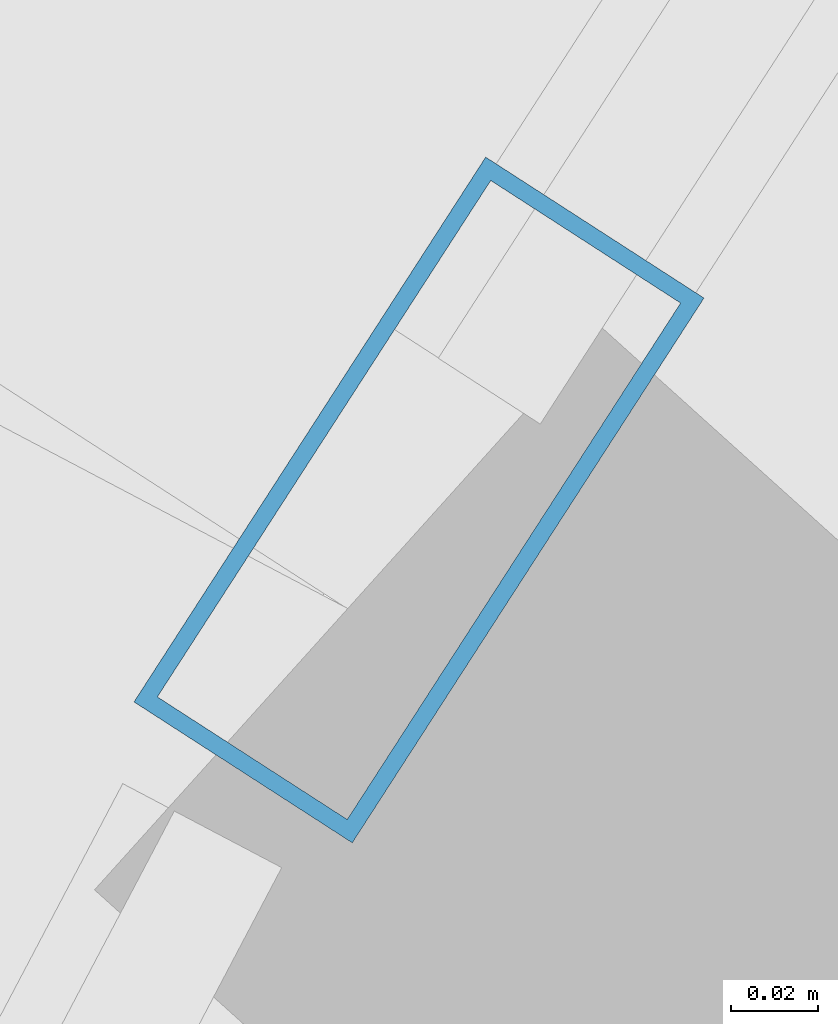
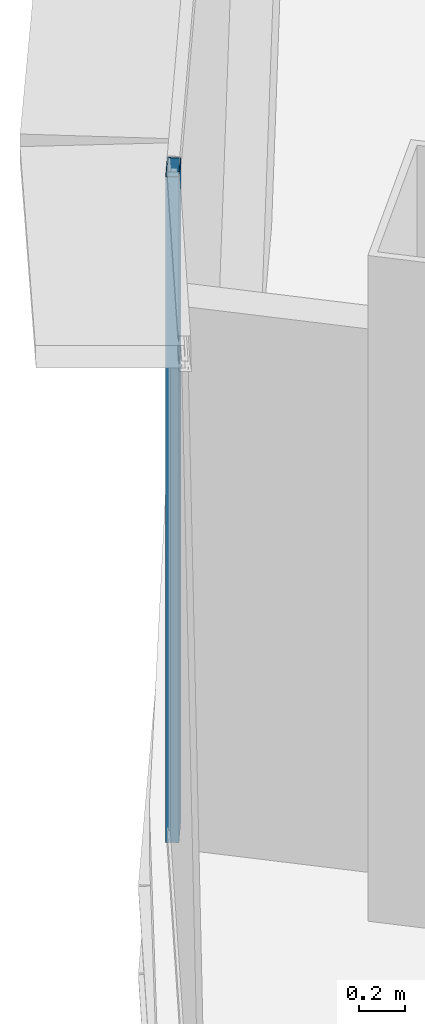
# One storey, part 16 of 36: 1 member, 1 element without a shape of its own.
"""IFC4 building model written with IfcOpenShell, lengths in metres."""

from ifc_helpers import new_model, si_unit, direction, frame, origin, origin_2d, place, context, subcontext, project, spatial, hollow_rectangle, extrude, source, transform, mapped, material, layer, layer_set, material_profile, profile_set, type_object, element, aggregate, save


model = new_model("IFC4")

# Units and contexts
model_context = context("Model", 3, precision=1e-05, world=origin(), true_north=direction((0.0, 1.0)))
body_context = subcontext(model_context, "Body", "Model", "MODEL_VIEW")
ifc_project = project(units=[si_unit("LENGTHUNIT", "METRE"), si_unit("AREAUNIT", "SQUARE_METRE"), si_unit("VOLUMEUNIT", "CUBIC_METRE"), si_unit("PLANEANGLEUNIT", "RADIAN"), si_unit("MASSUNIT", "GRAM", prefix="KILO"), si_unit("THERMODYNAMICTEMPERATUREUNIT", "KELVIN"), si_unit("POWERUNIT", "WATT")], contexts=[model_context])

# Site, building, storey
site_placement = place(None, origin())
site = spatial("IfcSite", under=ifc_project, at=site_placement, CompositionType="ELEMENT")
building_placement = place(site_placement, origin())
building = spatial("IfcBuilding", under=site, at=building_placement, Name="Yunzhuo Pagoda Commons", CompositionType="ELEMENT")
storey_placement = place(building_placement, frame((0.0, 0.0, 211.360107421875)))
storey = spatial("IfcBuildingStorey", under=building, at=storey_placement, Name="L53", CompositionType="ELEMENT", Elevation=211.360107421875)

# Curtain wall, member
ifc_material = material(Name="Anodized aluminium 6063-T6", Category="aluminium")
ifc_layer = layer(ifc_material, 0.14990234375)
ifc_layer_set = layer_set([ifc_layer], Name="Anodized aluminium 6063-T6")
curtain_wall_type = type_object("IfcCurtainWallType", Name="CW-MID Mid-Zone Ribbon Curtain Wall", PredefinedType="NOTDEFINED", material=ifc_layer_set)
curtain_wall_placement = place(storey_placement, origin())
curtain_wall = element("IfcCurtainWall", 1, at=curtain_wall_placement, inside=storey, type_object=curtain_wall_type, Name="L53 curtain wall CW-L53-F3B2", PredefinedType="NOTDEFINED")
ifc_material_profile = material_profile(ifc_material, hollow_rectangle(XDim=0.06005859375, YDim=0.14990234375, WallThickness=0.00390625, at=origin_2d()), Name="Anodized aluminium 6063-T6")
ifc_profile_set = profile_set([ifc_material_profile], Name="Anodized aluminium 6063-T6")
member_type = type_object("IfcMemberType", Name="CW-MID-M Mullion RHS 150x60x4", PredefinedType="MULLION", material=ifc_profile_set)
shared_shape = source(origin(), body_context, "Body", "SweptSolid", [
    extrude(hollow_rectangle(XDim=0.06005859375, YDim=0.14990234375, WallThickness=0.00390625, at=origin_2d()), origin(), (0.0, 0.0, 1.0), 3.539794921875),
])
member_placement = place(storey_placement, frame((24.314453125, 55.06640625, 0.0), z_axis=(0.0, 0.0, 1.0), x_axis=(0.840138139518, -0.542372479508, 0.0)))
member = element("IfcMember", 2, at=member_placement, type_object=member_type, Name="CW mullion 2", PredefinedType="MULLION", context=body_context, shape_type="MappedRepresentation", body=[
    mapped(shared_shape, transform((0.0, 0.0, 0.0), scale=1.0)),
])
aggregate(curtain_wall, [member])

save(model, "model.ifc")
